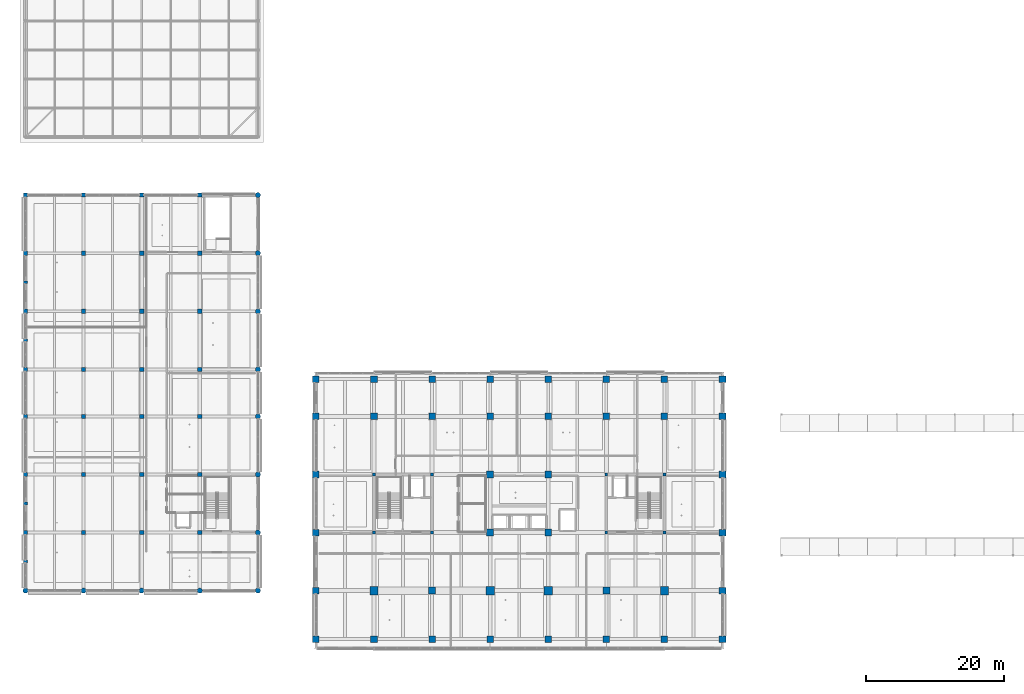
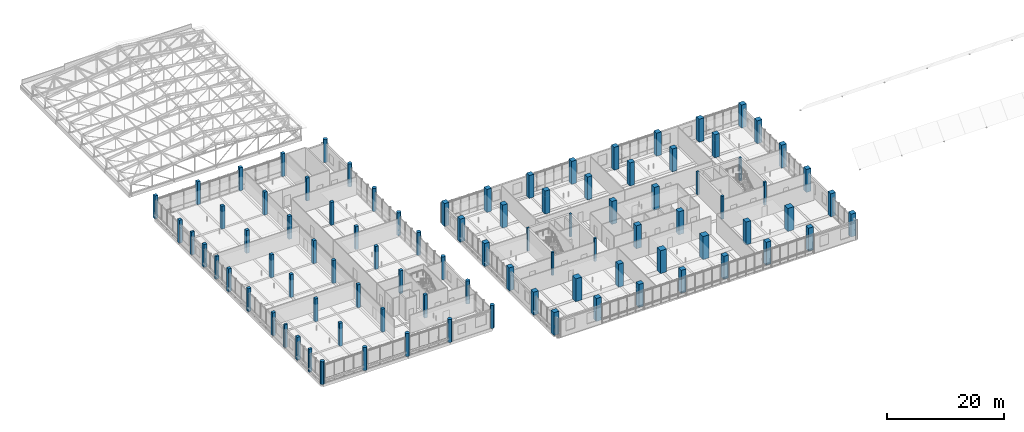
# One storey, part 1 of 122: 92 columns.
"""IFC4 building model written with IfcOpenShell, lengths in metres."""

from ifc_helpers import new_model, si_unit, direction, frame, origin, origin_2d, place, context, subcontext, project, spatial, rectangle, circle, extrude, material, material_profile, profile_set, type_object, element, save


model = new_model("IFC4")

# Units and contexts
model_context = context("Model", 3, precision=1e-05, world=origin(), true_north=direction((0.0, 1.0)))
body_context = subcontext(model_context, "Body", "Model", "MODEL_VIEW")
ifc_project = project(units=[si_unit("LENGTHUNIT", "METRE"), si_unit("AREAUNIT", "SQUARE_METRE"), si_unit("VOLUMEUNIT", "CUBIC_METRE"), si_unit("PLANEANGLEUNIT", "RADIAN"), si_unit("MASSUNIT", "GRAM", prefix="KILO")], contexts=[model_context])

# Site, building, storey
site_placement = place(None, origin())
site = spatial("IfcSite", under=ifc_project, at=site_placement, CompositionType="ELEMENT")
building_placement = place(site_placement, origin())
building = spatial("IfcBuilding", under=site, at=building_placement, Name="Telukmera Botanical Conservatory", CompositionType="ELEMENT")
storey_placement = place(building_placement, frame((0.0, 0.0, 10.199951171875)))
storey = spatial("IfcBuildingStorey", under=building, at=storey_placement, Name="L02", CompositionType="ELEMENT", Elevation=10.199951171875)

# Columns
ifc_material_1 = material(Name="Concrete C50/60", Category="concrete")
ifc_material_profile_1 = material_profile(ifc_material_1, rectangle(XDim=1.199951171875, YDim=1.199951171875, at=origin_2d()), Name="RC 1200x1200")
ifc_profile_set_1 = profile_set([ifc_material_profile_1], Name="Concrete C50/60")
column_type_1 = type_object("IfcColumnType", Name="Col_C1", PredefinedType="COLUMN", material=ifc_profile_set_1)
for number, where, z_axis, x_axis, name in (
    (1, (58.800048828125, 17.60009765625, 0.0), (0.0, 0.0, 1.0), (1.0, 0.0, 0.0), "Column V4-L02 (58.8,17.6)"),
    (2, (75.60009765625, 17.60009765625, 0.0), (0.0, 0.0, 1.0), (1.0, 0.0, 0.0), "Column V4-L02 (75.6,17.6)"),
    (3, (84.0, 17.60009765625, 0.0), (0.0, 0.0, 1.0), (1.0, 0.0, 0.0), "Column V4-L02 (84.0,17.6)"),
    (4, (100.800048828125, 17.60009765625, 0.0), (0.0, 0.0, 1.0), (1.0, 0.0, 0.0), "Column V4-L02 (100.8,17.6)"),
):
    element("IfcColumn", number, at=place(storey_placement, frame(where, z_axis=z_axis, x_axis=x_axis)), inside=storey, type_object=column_type_1, Name=name, PredefinedType="COLUMN", context=body_context, shape_type="SweptSolid", body=[
        extrude(rectangle(XDim=1.199951171875, YDim=1.199951171875, at=origin_2d()), origin(), (0.0, 0.0, 1.0), 4.800048828125),
    ])
ifc_material_2 = material(Name="Concrete C40/50", Category="concrete")
ifc_material_profile_2 = material_profile(ifc_material_2, rectangle(XDim=0.60009765625, YDim=0.60009765625, at=origin_2d()), Name="RC 600x600")
ifc_profile_set_2 = profile_set([ifc_material_profile_2], Name="Concrete C40/50")
column_type_2 = type_object("IfcColumnType", Name="Col_C11", PredefinedType="COLUMN", material=ifc_profile_set_2)
for number, where, z_axis, x_axis, name in (
    (5, (8.39990234375, 26.0, 0.0), (0.0, 0.0, 1.0), (1.0, 0.0, 0.0), "Column V3-L02 (8.4,26.0)"),
    (6, (8.39990234375, 34.39990234375, 0.0), (0.0, 0.0, 1.0), (1.0, 0.0, 0.0), "Column V3-L02 (8.4,34.4)"),
    (7, (8.39990234375, 42.800048828125, 0.0), (0.0, 0.0, 1.0), (1.0, 0.0, 0.0), "Column V3-L02 (8.4,42.8)"),
    (8, (8.39990234375, 49.60009765625, 0.0), (0.0, 0.0, 1.0), (1.0, 0.0, 0.0), "Column V3-L02 (8.4,49.6)"),
    (9, (8.39990234375, 58.0, 0.0), (0.0, 0.0, 1.0), (1.0, 0.0, 0.0), "Column V3-L02 (8.4,58.0)"),
    (10, (8.39990234375, 66.39990234375, 0.0), (0.0, 0.0, 1.0), (1.0, 0.0, 0.0), "Column V3-L02 (8.4,66.4)"),
    (11, (8.39990234375, 74.800048828125, 0.0), (0.0, 0.0, 1.0), (1.0, 0.0, 0.0), "Column V3-L02 (8.4,74.8)"),
    (12, (16.800048828125, 26.0, 0.0), (0.0, 0.0, 1.0), (1.0, 0.0, 0.0), "Column V3-L02 (16.8,26.0)"),
    (13, (16.800048828125, 34.39990234375, 0.0), (0.0, 0.0, 1.0), (1.0, 0.0, 0.0), "Column V3-L02 (16.8,34.4)"),
    (14, (16.800048828125, 42.800048828125, 0.0), (0.0, 0.0, 1.0), (1.0, 0.0, 0.0), "Column V3-L02 (16.8,42.8)"),
    (15, (16.800048828125, 49.60009765625, 0.0), (0.0, 0.0, 1.0), (1.0, 0.0, 0.0), "Column V3-L02 (16.8,49.6)"),
    (16, (16.800048828125, 58.0, 0.0), (0.0, 0.0, 1.0), (1.0, 0.0, 0.0), "Column V3-L02 (16.8,58.0)"),
    (17, (16.800048828125, 66.39990234375, 0.0), (0.0, 0.0, 1.0), (1.0, 0.0, 0.0), "Column V3-L02 (16.8,66.4)"),
    (18, (16.800048828125, 74.800048828125, 0.0), (0.0, 0.0, 1.0), (1.0, 0.0, 0.0), "Column V3-L02 (16.8,74.8)"),
    (19, (25.199951171875, 26.0, 0.0), (0.0, 0.0, 1.0), (1.0, 0.0, 0.0), "Column V3-L02 (25.2,26.0)"),
    (20, (25.199951171875, 34.39990234375, 0.0), (0.0, 0.0, 1.0), (1.0, 0.0, 0.0), "Column V3-L02 (25.2,34.4)"),
    (21, (25.199951171875, 42.800048828125, 0.0), (0.0, 0.0, 1.0), (1.0, 0.0, 0.0), "Column V3-L02 (25.2,42.8)"),
    (22, (25.199951171875, 49.60009765625, 0.0), (0.0, 0.0, 1.0), (1.0, 0.0, 0.0), "Column V3-L02 (25.2,49.6)"),
    (23, (25.199951171875, 58.0, 0.0), (0.0, 0.0, 1.0), (1.0, 0.0, 0.0), "Column V3-L02 (25.2,58.0)"),
    (24, (25.199951171875, 66.39990234375, 0.0), (0.0, 0.0, 1.0), (1.0, 0.0, 0.0), "Column V3-L02 (25.2,66.4)"),
    (25, (25.199951171875, 74.800048828125, 0.0), (0.0, 0.0, 1.0), (1.0, 0.0, 0.0), "Column V3-L02 (25.2,74.8)"),
    (26, (33.60009765625, 26.0, 0.0), (0.0, 0.0, 1.0), (1.0, 0.0, 0.0), "Column V3-L02 (33.6,26.0)"),
    (27, (33.60009765625, 34.39990234375, 0.0), (0.0, 0.0, 1.0), (1.0, 0.0, 0.0), "Column V3-L02 (33.6,34.4)"),
    (28, (33.60009765625, 42.800048828125, 0.0), (0.0, 0.0, 1.0), (1.0, 0.0, 0.0), "Column V3-L02 (33.6,42.8)"),
    (29, (33.60009765625, 49.60009765625, 0.0), (0.0, 0.0, 1.0), (1.0, 0.0, 0.0), "Column V3-L02 (33.6,49.6)"),
    (30, (33.60009765625, 58.0, 0.0), (0.0, 0.0, 1.0), (1.0, 0.0, 0.0), "Column V3-L02 (33.6,58.0)"),
    (31, (33.60009765625, 66.39990234375, 0.0), (0.0, 0.0, 1.0), (1.0, 0.0, 0.0), "Column V3-L02 (33.6,66.4)"),
    (32, (33.60009765625, 74.800048828125, 0.0), (0.0, 0.0, 1.0), (1.0, 0.0, 0.0), "Column V3-L02 (33.6,74.8)"),
):
    element("IfcColumn", number, at=place(storey_placement, frame(where, z_axis=z_axis, x_axis=x_axis)), inside=storey, type_object=column_type_2, Name=name, PredefinedType="COLUMN", context=body_context, shape_type="SweptSolid", body=[
        extrude(rectangle(XDim=0.60009765625, YDim=0.60009765625, at=origin_2d()), origin(), (0.0, 0.0, 1.0), 4.800048828125),
    ])
ifc_material_profile_3 = material_profile(ifc_material_1, rectangle(XDim=0.39990234375, YDim=0.39990234375, at=origin_2d()), Name="RC 400x400")
ifc_profile_set_3 = profile_set([ifc_material_profile_3], Name="Concrete C50/60")
column_type_3 = type_object("IfcColumnType", Name="Col_C14", PredefinedType="COLUMN", material=ifc_profile_set_3)
for number, where, z_axis, x_axis, name in (
    (33, (58.800048828125, 26.0, 0.0), (0.0, 0.0, 1.0), (1.0, 0.0, 0.0), "Column V4-L02 (58.8,26.0)"),
    (34, (58.800048828125, 34.39990234375, 0.0), (0.0, 0.0, 1.0), (1.0, 0.0, 0.0), "Column V4-L02 (58.8,34.4)"),
    (35, (67.199951171875, 26.0, 0.0), (0.0, 0.0, 1.0), (1.0, 0.0, 0.0), "Column V4-L02 (67.2,26.0)"),
    (36, (67.199951171875, 34.39990234375, 0.0), (0.0, 0.0, 1.0), (1.0, 0.0, 0.0), "Column V4-L02 (67.2,34.4)"),
    (37, (92.39990234375, 26.0, 0.0), (0.0, 0.0, 1.0), (1.0, 0.0, 0.0), "Column V4-L02 (92.4,26.0)"),
    (38, (92.39990234375, 34.39990234375, 0.0), (0.0, 0.0, 1.0), (1.0, 0.0, 0.0), "Column V4-L02 (92.4,34.4)"),
    (39, (100.800048828125, 26.0, 0.0), (0.0, 0.0, 1.0), (1.0, 0.0, 0.0), "Column V4-L02 (100.8,26.0)"),
    (40, (100.800048828125, 34.39990234375, 0.0), (0.0, 0.0, 1.0), (1.0, 0.0, 0.0), "Column V4-L02 (100.8,34.4)"),
):
    element("IfcColumn", number, at=place(storey_placement, frame(where, z_axis=z_axis, x_axis=x_axis)), inside=storey, type_object=column_type_3, Name=name, PredefinedType="COLUMN", context=body_context, shape_type="SweptSolid", body=[
        extrude(rectangle(XDim=0.39990234375, YDim=0.39990234375, at=origin_2d()), origin(), (0.0, 0.0, 1.0), 4.800048828125),
    ])
ifc_material_profile_4 = material_profile(ifc_material_2, circle(Radius=0.375, at=origin_2d()), Name="RC D750")
ifc_profile_set_4 = profile_set([ifc_material_profile_4], Name="Concrete C40/50")
column_type_4 = type_object("IfcColumnType", Name="Col_C17", PredefinedType="COLUMN", material=ifc_profile_set_4)
for number, where, z_axis, x_axis, name in (
    (41, (8.39990234375, 17.60009765625, 0.0), (0.0, 0.0, 1.0), (1.0, 0.0, 0.0), "Column V3-L02 (8.4,17.6)"),
    (42, (16.800048828125, 17.60009765625, 0.0), (0.0, 0.0, 1.0), (1.0, 0.0, 0.0), "Column V3-L02 (16.8,17.6)"),
    (43, (25.199951171875, 17.60009765625, 0.0), (0.0, 0.0, 1.0), (1.0, 0.0, 0.0), "Column V3-L02 (25.2,17.6)"),
    (44, (33.60009765625, 17.60009765625, 0.0), (0.0, 0.0, 1.0), (1.0, 0.0, 0.0), "Column V3-L02 (33.6,17.6)"),
    (45, (42.0, 17.60009765625, 0.0), (0.0, 0.0, 1.0), (1.0, 0.0, 0.0), "Column V3-L02 (42.0,17.6)"),
    (46, (42.0, 26.0, 0.0), (0.0, 0.0, 1.0), (1.0, 0.0, 0.0), "Column V3-L02 (42.0,26.0)"),
    (47, (42.0, 34.39990234375, 0.0), (0.0, 0.0, 1.0), (1.0, 0.0, 0.0), "Column V3-L02 (42.0,34.4)"),
    (48, (42.0, 42.800048828125, 0.0), (0.0, 0.0, 1.0), (1.0, 0.0, 0.0), "Column V3-L02 (42.0,42.8)"),
    (49, (42.0, 49.60009765625, 0.0), (0.0, 0.0, 1.0), (1.0, 0.0, 0.0), "Column V3-L02 (42.0,49.6)"),
    (50, (42.0, 58.0, 0.0), (0.0, 0.0, 1.0), (1.0, 0.0, 0.0), "Column V3-L02 (42.0,58.0)"),
    (51, (42.0, 66.39990234375, 0.0), (0.0, 0.0, 1.0), (1.0, 0.0, 0.0), "Column V3-L02 (42.0,66.4)"),
    (52, (42.0, 74.800048828125, 0.0), (0.0, 0.0, 1.0), (1.0, 0.0, 0.0), "Column V3-L02 (42.0,74.8)"),
):
    element("IfcColumn", number, at=place(storey_placement, frame(where, z_axis=z_axis, x_axis=x_axis)), inside=storey, type_object=column_type_4, Name=name, PredefinedType="COLUMN", context=body_context, shape_type="SweptSolid", body=[
        extrude(circle(Radius=0.375, at=origin_2d()), origin(), (0.0, 0.0, 1.0), 4.800048828125),
    ])
ifc_material_profile_5 = material_profile(ifc_material_1, rectangle(XDim=1.0, YDim=1.0, at=origin_2d()), Name="RC 1000x1000")
ifc_profile_set_5 = profile_set([ifc_material_profile_5], Name="Concrete C50/60")
column_type_5 = type_object("IfcColumnType", Name="Col_C3", PredefinedType="COLUMN", material=ifc_profile_set_5)
for number, where, z_axis, x_axis, name in (
    (53, (67.199951171875, 17.60009765625, 0.0), (0.0, 0.0, 1.0), (1.0, 0.0, 0.0), "Column V4-L02 (67.2,17.6)"),
    (54, (75.60009765625, 26.0, 0.0), (0.0, 0.0, 1.0), (1.0, 0.0, 0.0), "Column V4-L02 (75.6,26.0)"),
    (55, (75.60009765625, 34.39990234375, 0.0), (0.0, 0.0, 1.0), (1.0, 0.0, 0.0), "Column V4-L02 (75.6,34.4)"),
    (56, (84.0, 26.0, 0.0), (0.0, 0.0, 1.0), (1.0, 0.0, 0.0), "Column V4-L02 (84.0,26.0)"),
    (57, (84.0, 34.39990234375, 0.0), (0.0, 0.0, 1.0), (1.0, 0.0, 0.0), "Column V4-L02 (84.0,34.4)"),
    (58, (92.39990234375, 17.60009765625, 0.0), (0.0, 0.0, 1.0), (1.0, 0.0, 0.0), "Column V4-L02 (92.4,17.6)"),
):
    element("IfcColumn", number, at=place(storey_placement, frame(where, z_axis=z_axis, x_axis=x_axis)), inside=storey, type_object=column_type_5, Name=name, PredefinedType="COLUMN", context=body_context, shape_type="SweptSolid", body=[
        extrude(rectangle(XDim=1.0, YDim=1.0, at=origin_2d()), origin(), (0.0, 0.0, 1.0), 4.800048828125),
    ])
ifc_material_profile_6 = material_profile(ifc_material_1, rectangle(XDim=0.949951171875, YDim=0.949951171875, at=origin_2d()), Name="RC 950x950")
ifc_profile_set_6 = profile_set([ifc_material_profile_6], Name="Concrete C50/60")
column_type_6 = type_object("IfcColumnType", Name="Col_C4", PredefinedType="COLUMN", material=ifc_profile_set_6)
for number, where, z_axis, x_axis, name in (
    (59, (50.39990234375, 10.60009765625, 0.0), (0.0, 0.0, 1.0), (1.0, 0.0, 0.0), "Column V4-L02 (50.4,10.6)"),
    (60, (50.39990234375, 17.60009765625, 0.0), (0.0, 0.0, 1.0), (1.0, 0.0, 0.0), "Column V4-L02 (50.4,17.6)"),
    (61, (50.39990234375, 26.0, 0.0), (0.0, 0.0, 1.0), (1.0, 0.0, 0.0), "Column V4-L02 (50.4,26.0)"),
    (62, (50.39990234375, 34.39990234375, 0.0), (0.0, 0.0, 1.0), (1.0, 0.0, 0.0), "Column V4-L02 (50.4,34.4)"),
    (63, (50.39990234375, 42.800048828125, 0.0), (0.0, 0.0, 1.0), (1.0, 0.0, 0.0), "Column V4-L02 (50.4,42.8)"),
    (64, (50.39990234375, 48.199951171875, 0.0), (0.0, 0.0, 1.0), (1.0, 0.0, 0.0), "Column V4-L02 (50.4,48.2)"),
    (65, (58.800048828125, 10.60009765625, 0.0), (0.0, 0.0, 1.0), (1.0, 0.0, 0.0), "Column V4-L02 (58.8,10.6)"),
    (66, (58.800048828125, 42.800048828125, 0.0), (0.0, 0.0, 1.0), (1.0, 0.0, 0.0), "Column V4-L02 (58.8,42.8)"),
    (67, (58.800048828125, 48.199951171875, 0.0), (0.0, 0.0, 1.0), (1.0, 0.0, 0.0), "Column V4-L02 (58.8,48.2)"),
    (68, (67.199951171875, 10.60009765625, 0.0), (0.0, 0.0, 1.0), (1.0, 0.0, 0.0), "Column V4-L02 (67.2,10.6)"),
    (69, (67.199951171875, 42.800048828125, 0.0), (0.0, 0.0, 1.0), (1.0, 0.0, 0.0), "Column V4-L02 (67.2,42.8)"),
    (70, (67.199951171875, 48.199951171875, 0.0), (0.0, 0.0, 1.0), (1.0, 0.0, 0.0), "Column V4-L02 (67.2,48.2)"),
    (71, (75.60009765625, 10.60009765625, 0.0), (0.0, 0.0, 1.0), (1.0, 0.0, 0.0), "Column V4-L02 (75.6,10.6)"),
    (72, (75.60009765625, 42.800048828125, 0.0), (0.0, 0.0, 1.0), (1.0, 0.0, 0.0), "Column V4-L02 (75.6,42.8)"),
    (73, (75.60009765625, 48.199951171875, 0.0), (0.0, 0.0, 1.0), (1.0, 0.0, 0.0), "Column V4-L02 (75.6,48.2)"),
    (74, (84.0, 10.60009765625, 0.0), (0.0, 0.0, 1.0), (1.0, 0.0, 0.0), "Column V4-L02 (84.0,10.6)"),
    (75, (84.0, 42.800048828125, 0.0), (0.0, 0.0, 1.0), (1.0, 0.0, 0.0), "Column V4-L02 (84.0,42.8)"),
    (76, (84.0, 48.199951171875, 0.0), (0.0, 0.0, 1.0), (1.0, 0.0, 0.0), "Column V4-L02 (84.0,48.2)"),
    (77, (92.39990234375, 10.60009765625, 0.0), (0.0, 0.0, 1.0), (1.0, 0.0, 0.0), "Column V4-L02 (92.4,10.6)"),
    (78, (92.39990234375, 42.800048828125, 0.0), (0.0, 0.0, 1.0), (1.0, 0.0, 0.0), "Column V4-L02 (92.4,42.8)"),
    (79, (92.39990234375, 48.199951171875, 0.0), (0.0, 0.0, 1.0), (1.0, 0.0, 0.0), "Column V4-L02 (92.4,48.2)"),
    (80, (100.800048828125, 10.60009765625, 0.0), (0.0, 0.0, 1.0), (1.0, 0.0, 0.0), "Column V4-L02 (100.8,10.6)"),
    (81, (100.800048828125, 42.800048828125, 0.0), (0.0, 0.0, 1.0), (1.0, 0.0, 0.0), "Column V4-L02 (100.8,42.8)"),
    (82, (100.800048828125, 48.199951171875, 0.0), (0.0, 0.0, 1.0), (1.0, 0.0, 0.0), "Column V4-L02 (100.8,48.2)"),
    (83, (109.199951171875, 10.60009765625, 0.0), (0.0, 0.0, 1.0), (1.0, 0.0, 0.0), "Column V4-L02 (109.2,10.6)"),
    (84, (109.199951171875, 17.60009765625, 0.0), (0.0, 0.0, 1.0), (1.0, 0.0, 0.0), "Column V4-L02 (109.2,17.6)"),
    (85, (109.199951171875, 26.0, 0.0), (0.0, 0.0, 1.0), (1.0, 0.0, 0.0), "Column V4-L02 (109.2,26.0)"),
    (86, (109.199951171875, 34.39990234375, 0.0), (0.0, 0.0, 1.0), (1.0, 0.0, 0.0), "Column V4-L02 (109.2,34.4)"),
    (87, (109.199951171875, 42.800048828125, 0.0), (0.0, 0.0, 1.0), (1.0, 0.0, 0.0), "Column V4-L02 (109.2,42.8)"),
    (88, (109.199951171875, 48.199951171875, 0.0), (0.0, 0.0, 1.0), (1.0, 0.0, 0.0), "Column V4-L02 (109.2,48.2)"),
):
    element("IfcColumn", number, at=place(storey_placement, frame(where, z_axis=z_axis, x_axis=x_axis)), inside=storey, type_object=column_type_6, Name=name, PredefinedType="COLUMN", context=body_context, shape_type="SweptSolid", body=[
        extrude(rectangle(XDim=0.949951171875, YDim=0.949951171875, at=origin_2d()), origin(), (0.0, 0.0, 1.0), 4.800048828125),
    ])
ifc_material_3 = material(Name="Precast concrete C40/50", Category="concrete")
ifc_material_profile_7 = material_profile(ifc_material_3, rectangle(XDim=0.60009765625, YDim=0.39990234375, at=origin_2d()), Name="PC 600x400")
ifc_profile_set_7 = profile_set([ifc_material_profile_7], Name="Precast concrete C40/50")
column_type_7 = type_object("IfcColumnType", Name="Col_PLP3", PredefinedType="PILASTER", material=ifc_profile_set_7)
for number, where, z_axis, x_axis, name in (
    (89, (8.39990234375, 21.800048828125, 0.0), (0.0, 0.0, 1.0), (1.0, 0.0, 0.0), "Column V3-L02 (8.4,21.8)"),
    (90, (8.39990234375, 30.199951171875, 0.0), (0.0, 0.0, 1.0), (1.0, 0.0, 0.0), "Column V3-L02 (8.4,30.2)"),
    (91, (8.39990234375, 53.800048828125, 0.0), (0.0, 0.0, 1.0), (1.0, 0.0, 0.0), "Column V3-L02 (8.4,53.8)"),
    (92, (8.39990234375, 62.199951171875, 0.0), (0.0, 0.0, 1.0), (1.0, 0.0, 0.0), "Column V3-L02 (8.4,62.2)"),
):
    element("IfcColumn", number, at=place(storey_placement, frame(where, z_axis=z_axis, x_axis=x_axis)), inside=storey, type_object=column_type_7, Name=name, PredefinedType="PILASTER", context=body_context, shape_type="SweptSolid", body=[
        extrude(rectangle(XDim=0.60009765625, YDim=0.39990234375, at=origin_2d()), origin(), (0.0, 0.0, 1.0), 4.800048828125),
    ])

save(model, "model.ifc")
